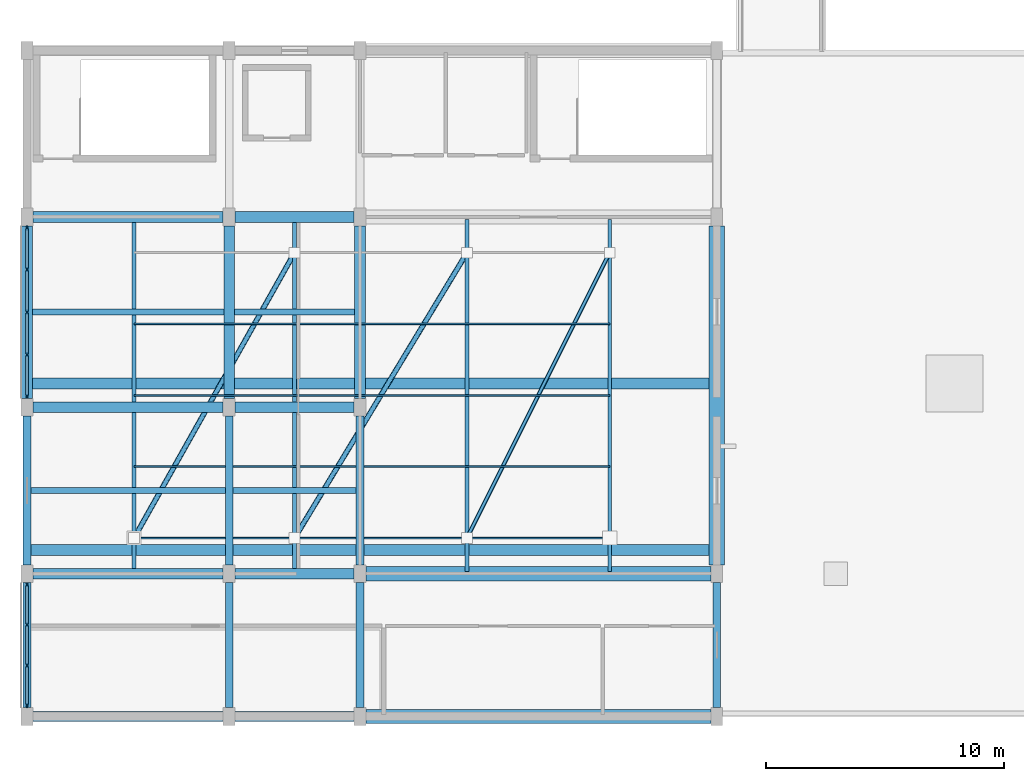
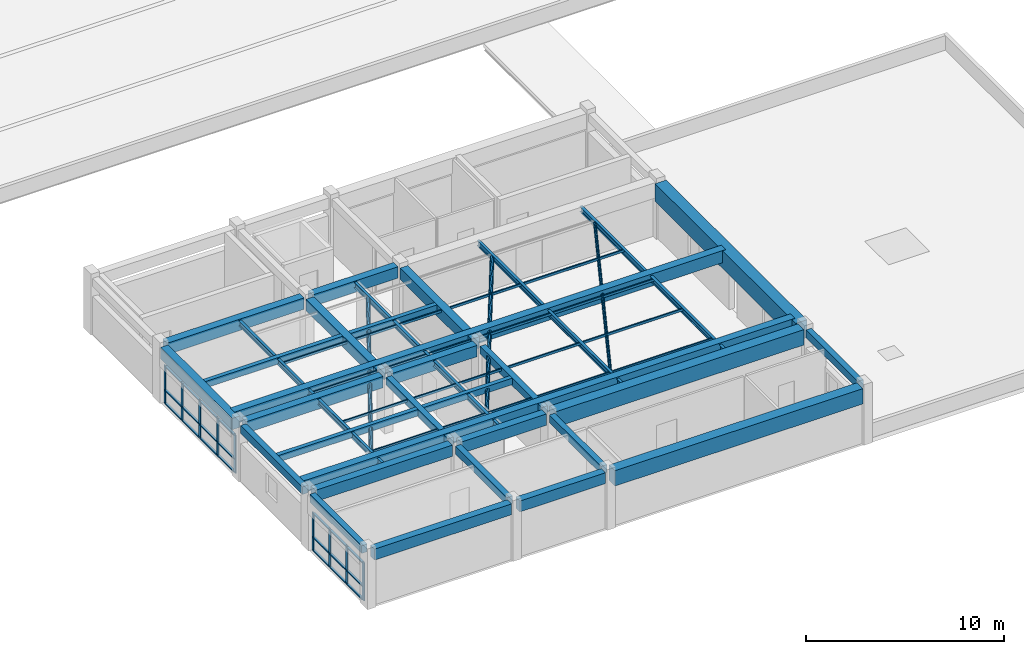
# One storey, part 2 of 42: 41 members, 27 beams, 2 elements without a shape of their own.
"""IFC4 building model written with IfcOpenShell, lengths in metres."""

from ifc_helpers import new_model, si_unit, direction, frame, origin, origin_2d, place, context, subcontext, project, spatial, rectangle, hollow_rectangle, hollow_circle, i_section, extrude, material, layer, layer_set, material_profile, profile_set, type_object, element, aggregate, save


model = new_model("IFC4")

# Units and contexts
model_context = context("Model", 3, precision=1e-05, world=origin(), true_north=direction((0.0, 1.0)))
body_context = subcontext(model_context, "Body", "Model", "MODEL_VIEW")
ifc_project = project(units=[si_unit("LENGTHUNIT", "METRE"), si_unit("AREAUNIT", "SQUARE_METRE"), si_unit("VOLUMEUNIT", "CUBIC_METRE"), si_unit("PLANEANGLEUNIT", "RADIAN"), si_unit("MASSUNIT", "GRAM", prefix="KILO")], contexts=[model_context])

# Site, building, storey
site_placement = place(None, origin())
site = spatial("IfcSite", under=ifc_project, at=site_placement, CompositionType="ELEMENT")
building_placement = place(site_placement, origin())
building = spatial("IfcBuilding", under=site, at=building_placement, Name="Naurynzar Civic Courthouse", CompositionType="ELEMENT")
storey_placement = place(building_placement, frame((0.0, 0.0, 18.300048828125)))
storey = spatial("IfcBuildingStorey", under=building, at=storey_placement, Name="L05", CompositionType="ELEMENT", Elevation=18.300048828125)

# Beams
ifc_material_1 = material(Name="Concrete C40/50", Category="concrete")
ifc_material_profile_1 = material_profile(ifc_material_1, rectangle(XDim=0.449951171875, YDim=0.75, at=origin_2d()), Name="RCF 450x750")
ifc_profile_set_1 = profile_set([ifc_material_profile_1], Name="Concrete C40/50")
beam_type_1 = type_object("IfcBeamType", Name="BM-FLD-450x750", PredefinedType="BEAM", material=ifc_profile_set_1)
for number, where, z_axis, x_axis, name in (
    (1, (6.14990234375, 11.0, 3.114990234375), (1.0, 0.0, 0.0), (0.0, 1.0, 0.0), "V4 folded-plate valley girder 1"),
    (2, (6.14990234375, 18.0, 3.114990234375), (1.0, 0.0, 0.0), (0.0, 1.0, 0.0), "V4 folded-plate valley girder 2"),
):
    element("IfcBeam", number, at=place(storey_placement, frame(where, z_axis=z_axis, x_axis=x_axis)), inside=storey, type_object=beam_type_1, Name=name, PredefinedType="BEAM", context=body_context, shape_type="SweptSolid", body=[
        extrude(rectangle(XDim=0.449951171875, YDim=0.75, at=origin_2d()), origin(), (0.0, 0.0, 1.0), 28.7001953125),
    ])
ifc_material_2 = material(Name="Concrete C40/50", Category="concrete")
ifc_material_profile_2 = material_profile(ifc_material_2, rectangle(XDim=0.25, YDim=0.39990234375, at=origin_2d()), Name="RCB 250x400")
ifc_profile_set_2 = profile_set([ifc_material_profile_2], Name="Concrete C40/50")
beam_type_2 = type_object("IfcBeamType", Name="BM-JST-250x400", PredefinedType="JOIST", material=ifc_profile_set_2)
beam_1_placement = place(storey_placement, frame((6.16259765625, 13.5, 3.27001953125), z_axis=(1.0, 0.0, 0.0), x_axis=(0.0, 1.0, 0.0)))
element("IfcBeam", 3, at=beam_1_placement, inside=storey, type_object=beam_type_2, Name="V4 secondary rib 1995 L05", PredefinedType="JOIST", context=body_context, shape_type="SweptSolid", body=[
    extrude(rectangle(XDim=0.25, YDim=0.39990234375, at=origin_2d()), origin(), (0.0, 0.0, 1.0), 8.1748046875),
])
beam_2_placement = place(storey_placement, frame((14.66259765625, 13.5, 3.27001953125), z_axis=(1.0, 0.0, 0.0), x_axis=(0.0, 1.0, 0.0)))
element("IfcBeam", 4, at=beam_2_placement, inside=storey, type_object=beam_type_2, Name="V4 secondary rib 1996 L05", PredefinedType="JOIST", context=body_context, shape_type="SweptSolid", body=[
    extrude(rectangle(XDim=0.25, YDim=0.39990234375, at=origin_2d()), origin(), (0.0, 0.0, 1.0), 5.1748046875),
])
beam_3_placement = place(storey_placement, frame((6.22509765625, 21.0, 3.27001953125), z_axis=(1.0, 0.0, 0.0), x_axis=(0.0, 1.0, 0.0)))
element("IfcBeam", 5, at=beam_3_placement, inside=storey, type_object=beam_type_2, Name="V4 secondary rib 1997 L05", PredefinedType="JOIST", context=body_context, shape_type="SweptSolid", body=[
    extrude(rectangle(XDim=0.25, YDim=0.39990234375, at=origin_2d()), origin(), (0.0, 0.0, 1.0), 8.0498046875),
])
beam_4_placement = place(storey_placement, frame((14.72509765625, 21.0, 3.27001953125), z_axis=(1.0, 0.0, 0.0), x_axis=(0.0, 1.0, 0.0)))
element("IfcBeam", 6, at=beam_4_placement, inside=storey, type_object=beam_type_2, Name="V4 secondary rib 1998 L05", PredefinedType="JOIST", context=body_context, shape_type="SweptSolid", body=[
    extrude(rectangle(XDim=0.25, YDim=0.39990234375, at=origin_2d()), origin(), (0.0, 0.0, 1.0), 5.0498046875),
])
ifc_material_3 = material(Name="Concrete C40/50", Category="concrete")
ifc_material_profile_3 = material_profile(ifc_material_3, rectangle(XDim=0.60009765625, YDim=0.949951171875, at=origin_2d()), Name="PTB 600x950")
ifc_profile_set_3 = profile_set([ifc_material_profile_3], Name="Concrete C40/50")
beam_type_3 = type_object("IfcBeamType", Name="BM-PT-600x950", PredefinedType="T_BEAM", material=ifc_profile_set_3)
for number, where, z_axis, x_axis, name in (
    (7, (20.25, 4.0, 2.994873046875), (1.0, 0.0, 0.0), (0.0, 1.0, 0.0), "V4 beam X-1968 L05"),
    (8, (20.25, 10.0, 2.994873046875), (1.0, 0.0, 0.0), (0.0, 1.0, 0.0), "V4 beam X-1971 L05"),
):
    element("IfcBeam", number, at=place(storey_placement, frame(where, z_axis=z_axis, x_axis=x_axis)), inside=storey, type_object=beam_type_3, Name=name, PredefinedType="T_BEAM", context=body_context, shape_type="SweptSolid", body=[
        extrude(rectangle(XDim=0.60009765625, YDim=0.949951171875, at=origin_2d()), origin(), (0.0, 0.0, 1.0), 14.5),
    ])
ifc_material_4 = material(Name="Concrete C40/50", Category="concrete")
ifc_material_profile_4 = material_profile(ifc_material_4, rectangle(XDim=0.64990234375, YDim=1.10009765625, at=origin_2d()), Name="PTB 650x1100")
ifc_profile_set_4 = profile_set([ifc_material_profile_4], Name="Concrete C40/50")
beam_type_4 = type_object("IfcBeamType", Name="BM-PT-650x1100", PredefinedType="T_BEAM", material=ifc_profile_set_4)
beam_5_placement = place(storey_placement, frame((35.0, 10.375, 2.919921875), z_axis=(0.0, 1.0, 0.0), x_axis=(-1.0, 0.0, 0.0)))
element("IfcBeam", 9, at=beam_5_placement, inside=storey, type_object=beam_type_4, Name="V4 girder Y-1993 L05", PredefinedType="T_BEAM", context=body_context, shape_type="SweptSolid", body=[
    extrude(rectangle(XDim=0.64990234375, YDim=1.10009765625, at=origin_2d()), origin(), (0.0, 0.0, 1.0), 14.25),
])
ifc_material_5 = material(Name="Concrete C40/50", Category="concrete")
ifc_material_profile_5 = material_profile(ifc_material_5, rectangle(XDim=0.324951171875, YDim=0.47509765625, at=origin_2d()), Name="RCB 325x475")
ifc_profile_set_5 = profile_set([ifc_material_profile_5], Name="Concrete C40/50")
beam_type_5 = type_object("IfcBeamType", Name="BM-RC-325x475", PredefinedType="BEAM", material=ifc_profile_set_5)
beam_6_placement = place(storey_placement, frame((6.0, 4.375, 3.232421875), z_axis=(0.0, 1.0, 0.0), x_axis=(-1.0, 0.0, 0.0)))
element("IfcBeam", 10, at=beam_6_placement, inside=storey, type_object=beam_type_5, Name="V4 girder Y-1980 L05", PredefinedType="BEAM", context=body_context, shape_type="SweptSolid", body=[
    extrude(rectangle(XDim=0.324951171875, YDim=0.47509765625, at=origin_2d()), origin(), (0.0, 0.0, 1.0), 5.25),
])
beam_7_placement = place(storey_placement, frame((6.0, 10.375, 3.232421875), z_axis=(0.0, 1.0, 0.0), x_axis=(-1.0, 0.0, 0.0)))
element("IfcBeam", 11, at=beam_7_placement, inside=storey, type_object=beam_type_5, Name="V4 girder Y-1981 L05", PredefinedType="BEAM", context=body_context, shape_type="SweptSolid", body=[
    extrude(rectangle(XDim=0.324951171875, YDim=0.47509765625, at=origin_2d()), origin(), (0.0, 0.0, 1.0), 6.25),
])
beam_8_placement = place(storey_placement, frame((14.5, 4.375, 3.232421875), z_axis=(0.0, 1.0, 0.0), x_axis=(-1.0, 0.0, 0.0)))
element("IfcBeam", 12, at=beam_8_placement, inside=storey, type_object=beam_type_5, Name="V4 girder Y-1984 L05", PredefinedType="BEAM", context=body_context, shape_type="SweptSolid", body=[
    extrude(rectangle(XDim=0.324951171875, YDim=0.47509765625, at=origin_2d()), origin(), (0.0, 0.0, 1.0), 5.25),
])
beam_9_placement = place(storey_placement, frame((14.5, 10.375, 3.232421875), z_axis=(0.0, 1.0, 0.0), x_axis=(-1.0, 0.0, 0.0)))
element("IfcBeam", 13, at=beam_9_placement, inside=storey, type_object=beam_type_5, Name="V4 girder Y-1985 L05", PredefinedType="BEAM", context=body_context, shape_type="SweptSolid", body=[
    extrude(rectangle(XDim=0.324951171875, YDim=0.47509765625, at=origin_2d()), origin(), (0.0, 0.0, 1.0), 6.25),
])
beam_10_placement = place(storey_placement, frame((20.0, 4.375, 3.232421875), z_axis=(0.0, 1.0, 0.0), x_axis=(-1.0, 0.0, 0.0)))
element("IfcBeam", 14, at=beam_10_placement, inside=storey, type_object=beam_type_5, Name="V4 girder Y-1988 L05", PredefinedType="BEAM", context=body_context, shape_type="SweptSolid", body=[
    extrude(rectangle(XDim=0.324951171875, YDim=0.47509765625, at=origin_2d()), origin(), (0.0, 0.0, 1.0), 5.25),
])
beam_11_placement = place(storey_placement, frame((20.0, 10.375, 3.232421875), z_axis=(0.0, 1.0, 0.0), x_axis=(-1.0, 0.0, 0.0)))
element("IfcBeam", 15, at=beam_11_placement, inside=storey, type_object=beam_type_5, Name="V4 girder Y-1989 L05", PredefinedType="BEAM", context=body_context, shape_type="SweptSolid", body=[
    extrude(rectangle(XDim=0.324951171875, YDim=0.47509765625, at=origin_2d()), origin(), (0.0, 0.0, 1.0), 6.25),
])
beam_12_placement = place(storey_placement, frame((35.0, 4.375, 3.232421875), z_axis=(0.0, 1.0, 0.0), x_axis=(-1.0, 0.0, 0.0)))
element("IfcBeam", 16, at=beam_12_placement, inside=storey, type_object=beam_type_5, Name="V4 girder Y-1992 L05", PredefinedType="BEAM", context=body_context, shape_type="SweptSolid", body=[
    extrude(rectangle(XDim=0.324951171875, YDim=0.47509765625, at=origin_2d()), origin(), (0.0, 0.0, 1.0), 5.25),
])
ifc_material_6 = material(Name="Concrete C40/50", Category="concrete")
ifc_material_profile_6 = material_profile(ifc_material_6, rectangle(XDim=0.425048828125, YDim=0.675048828125, at=origin_2d()), Name="RCB 425x675")
ifc_profile_set_6 = profile_set([ifc_material_profile_6], Name="Concrete C40/50")
beam_type_6 = type_object("IfcBeamType", Name="BM-RC-425x675", PredefinedType="SPANDREL", material=ifc_profile_set_6)
beam_13_placement = place(storey_placement, frame((6.25, 4.0, 3.132568359375), z_axis=(1.0, 0.0, 0.0), x_axis=(0.0, 1.0, 0.0)))
element("IfcBeam", 17, at=beam_13_placement, inside=storey, type_object=beam_type_6, Name="V4 beam X-1966 L05", PredefinedType="SPANDREL", context=body_context, shape_type="SweptSolid", body=[
    extrude(rectangle(XDim=0.425048828125, YDim=0.675048828125, at=origin_2d()), origin(), (0.0, 0.0, 1.0), 8.0),
])
beam_14_placement = place(storey_placement, frame((14.75, 4.0, 3.132568359375), z_axis=(1.0, 0.0, 0.0), x_axis=(0.0, 1.0, 0.0)))
element("IfcBeam", 18, at=beam_14_placement, inside=storey, type_object=beam_type_6, Name="V4 beam X-1967 L05", PredefinedType="SPANDREL", context=body_context, shape_type="SweptSolid", body=[
    extrude(rectangle(XDim=0.425048828125, YDim=0.675048828125, at=origin_2d()), origin(), (0.0, 0.0, 1.0), 5.0),
])
ifc_material_7 = material(Name="Concrete C40/50", Category="concrete")
ifc_material_profile_7 = material_profile(ifc_material_7, rectangle(XDim=0.449951171875, YDim=0.699951171875, at=origin_2d()), Name="RCB 450x700")
ifc_profile_set_7 = profile_set([ifc_material_profile_7], Name="Concrete C40/50")
beam_type_7 = type_object("IfcBeamType", Name="BM-RC-450x700", PredefinedType="BEAM", material=ifc_profile_set_7)
beam_15_placement = place(storey_placement, frame((6.25, 10.0, 3.119873046875), z_axis=(1.0, 0.0, 0.0), x_axis=(0.0, 1.0, 0.0)))
element("IfcBeam", 19, at=beam_15_placement, inside=storey, type_object=beam_type_7, Name="V4 beam X-1969 L05", PredefinedType="BEAM", context=body_context, shape_type="SweptSolid", body=[
    extrude(rectangle(XDim=0.449951171875, YDim=0.699951171875, at=origin_2d()), origin(), (0.0, 0.0, 1.0), 8.0),
])
beam_16_placement = place(storey_placement, frame((14.75, 10.0, 3.119873046875), z_axis=(1.0, 0.0, 0.0), x_axis=(0.0, 1.0, 0.0)))
element("IfcBeam", 20, at=beam_16_placement, inside=storey, type_object=beam_type_7, Name="V4 beam X-1970 L05", PredefinedType="BEAM", context=body_context, shape_type="SweptSolid", body=[
    extrude(rectangle(XDim=0.449951171875, YDim=0.699951171875, at=origin_2d()), origin(), (0.0, 0.0, 1.0), 5.0),
])
beam_17_placement = place(storey_placement, frame((6.25, 17.0, 3.119873046875), z_axis=(1.0, 0.0, 0.0), x_axis=(0.0, 1.0, 0.0)))
element("IfcBeam", 21, at=beam_17_placement, inside=storey, type_object=beam_type_7, Name="V4 beam X-1972 L05", PredefinedType="BEAM", context=body_context, shape_type="SweptSolid", body=[
    extrude(rectangle(XDim=0.449951171875, YDim=0.699951171875, at=origin_2d()), origin(), (0.0, 0.0, 1.0), 8.0),
])
beam_18_placement = place(storey_placement, frame((14.75, 17.0, 3.119873046875), z_axis=(1.0, 0.0, 0.0), x_axis=(0.0, 1.0, 0.0)))
element("IfcBeam", 22, at=beam_18_placement, inside=storey, type_object=beam_type_7, Name="V4 beam X-1973 L05", PredefinedType="BEAM", context=body_context, shape_type="SweptSolid", body=[
    extrude(rectangle(XDim=0.449951171875, YDim=0.699951171875, at=origin_2d()), origin(), (0.0, 0.0, 1.0), 5.0),
])
beam_19_placement = place(storey_placement, frame((6.25, 25.0, 3.119873046875), z_axis=(1.0, 0.0, 0.0), x_axis=(0.0, 1.0, 0.0)))
element("IfcBeam", 23, at=beam_19_placement, inside=storey, type_object=beam_type_7, Name="V4 beam X-1974 L05", PredefinedType="BEAM", context=body_context, shape_type="SweptSolid", body=[
    extrude(rectangle(XDim=0.449951171875, YDim=0.699951171875, at=origin_2d()), origin(), (0.0, 0.0, 1.0), 8.0),
])
beam_20_placement = place(storey_placement, frame((14.75, 25.0, 3.119873046875), z_axis=(1.0, 0.0, 0.0), x_axis=(0.0, 1.0, 0.0)))
element("IfcBeam", 24, at=beam_20_placement, inside=storey, type_object=beam_type_7, Name="V4 beam X-1975 L05", PredefinedType="BEAM", context=body_context, shape_type="SweptSolid", body=[
    extrude(rectangle(XDim=0.449951171875, YDim=0.699951171875, at=origin_2d()), origin(), (0.0, 0.0, 1.0), 5.0),
])
for number, where, z_axis, x_axis, name in (
    (25, (6.0, 17.375, 3.119873046875), (0.0, 1.0, 0.0), (-1.0, 0.0, 0.0), "V4 girder Y-1982 L05"),
    (26, (14.5, 17.375, 3.119873046875), (0.0, 1.0, 0.0), (-1.0, 0.0, 0.0), "V4 girder Y-1986 L05"),
    (27, (20.0, 17.375, 3.119873046875), (0.0, 1.0, 0.0), (-1.0, 0.0, 0.0), "V4 girder Y-1990 L05"),
):
    element("IfcBeam", number, at=place(storey_placement, frame(where, z_axis=z_axis, x_axis=x_axis)), inside=storey, type_object=beam_type_7, Name=name, PredefinedType="BEAM", context=body_context, shape_type="SweptSolid", body=[
        extrude(rectangle(XDim=0.449951171875, YDim=0.699951171875, at=origin_2d()), origin(), (0.0, 0.0, 1.0), 7.25),
    ])

# Curtain wall, members
ifc_material_8 = material(Name="Aluminium 6063-T6", Category="aluminium")
ifc_layer = layer(ifc_material_8, 0.159912109375)
ifc_layer_set = layer_set([ifc_layer], Name="CW-UNIT-1800")
curtain_wall_type = type_object("IfcCurtainWallType", Name="CW-UNIT-1800", PredefinedType="NOTDEFINED", material=ifc_layer_set)
curtain_wall_1_placement = place(storey_placement, origin())
curtain_wall_1 = element("IfcCurtainWall", 28, at=curtain_wall_1_placement, inside=storey, type_object=curtain_wall_type, Name="V4 unitised curtain wall 83 L05", PredefinedType="NOTDEFINED")
ifc_material_9 = material(Name="Aluminium 6063-T6", Category="aluminium")
ifc_material_profile_8 = material_profile(ifc_material_9, rectangle(XDim=0.070068359375, YDim=0.179931640625, at=origin_2d()), Name="ALU MULLION 70x180")
ifc_profile_set_8 = profile_set([ifc_material_profile_8], Name="Aluminium 6063-T6")
member_type_1 = type_object("IfcMemberType", Name="CWM-70x180", PredefinedType="MULLION", material=ifc_profile_set_8)
member_1_placement = place(storey_placement, frame((6.0, 4.4599609375, 0.0), z_axis=(0.0, 0.0, 1.0), x_axis=(-1.0, 0.0, 0.0)))
member_1 = element("IfcMember", 29, at=member_1_placement, type_object=member_type_1, Name="CW-02 mullion 1", PredefinedType="MULLION", context=body_context, shape_type="SweptSolid", body=[
    extrude(rectangle(XDim=0.070068359375, YDim=0.179931640625, at=origin_2d()), origin(), (0.0, 0.0, 1.0), 2.349853515625),
])
member_2_placement = place(storey_placement, frame((6.0, 6.1416015625, 0.0), z_axis=(0.0, 0.0, 1.0), x_axis=(-1.0, 0.0, 0.0)))
member_2 = element("IfcMember", 30, at=member_2_placement, type_object=member_type_1, Name="CW-02 mullion 2", PredefinedType="MULLION", context=body_context, shape_type="SweptSolid", body=[
    extrude(rectangle(XDim=0.070068359375, YDim=0.179931640625, at=origin_2d()), origin(), (0.0, 0.0, 1.0), 2.349853515625),
])
member_3_placement = place(storey_placement, frame((6.0, 7.8583984375, 0.0), z_axis=(0.0, 0.0, 1.0), x_axis=(-1.0, 0.0, 0.0)))
member_3 = element("IfcMember", 31, at=member_3_placement, type_object=member_type_1, Name="CW-02 mullion 3", PredefinedType="MULLION", context=body_context, shape_type="SweptSolid", body=[
    extrude(rectangle(XDim=0.070068359375, YDim=0.179931640625, at=origin_2d()), origin(), (0.0, 0.0, 1.0), 2.349853515625),
])
member_4_placement = place(storey_placement, frame((6.0, 9.5400390625, 0.0), z_axis=(0.0, 0.0, 1.0), x_axis=(-1.0, 0.0, 0.0)))
member_4 = element("IfcMember", 32, at=member_4_placement, type_object=member_type_1, Name="CW-02 mullion 4", PredefinedType="MULLION", context=body_context, shape_type="SweptSolid", body=[
    extrude(rectangle(XDim=0.070068359375, YDim=0.179931640625, at=origin_2d()), origin(), (0.0, 0.0, 1.0), 2.349853515625),
])

curtain_wall_2_placement = place(storey_placement, origin())
curtain_wall_2 = element("IfcCurtainWall", 33, at=curtain_wall_2_placement, inside=storey, type_object=curtain_wall_type, Name="V4 unitised curtain wall 84 L05", PredefinedType="NOTDEFINED")
member_5_placement = place(storey_placement, frame((6.0, 17.4599609375, 0.0), z_axis=(0.0, 0.0, 1.0), x_axis=(-1.0, 0.0, 0.0)))
member_5 = element("IfcMember", 34, at=member_5_placement, type_object=member_type_1, Name="CW-02 mullion 1", PredefinedType="MULLION", context=body_context, shape_type="SweptSolid", body=[
    extrude(rectangle(XDim=0.070068359375, YDim=0.179931640625, at=origin_2d()), origin(), (0.0, 0.0, 1.0), 2.349853515625),
])
member_6_placement = place(storey_placement, frame((6.0, 19.21240234375, 0.0), z_axis=(0.0, 0.0, 1.0), x_axis=(-1.0, 0.0, 0.0)))
member_6 = element("IfcMember", 35, at=member_6_placement, type_object=member_type_1, Name="CW-02 mullion 2", PredefinedType="MULLION", context=body_context, shape_type="SweptSolid", body=[
    extrude(rectangle(XDim=0.070068359375, YDim=0.179931640625, at=origin_2d()), origin(), (0.0, 0.0, 1.0), 2.349853515625),
])
member_7_placement = place(storey_placement, frame((6.0, 21.0, 0.0), z_axis=(0.0, 0.0, 1.0), x_axis=(-1.0, 0.0, 0.0)))
member_7 = element("IfcMember", 36, at=member_7_placement, type_object=member_type_1, Name="CW-02 mullion 3", PredefinedType="MULLION", context=body_context, shape_type="SweptSolid", body=[
    extrude(rectangle(XDim=0.070068359375, YDim=0.179931640625, at=origin_2d()), origin(), (0.0, 0.0, 1.0), 2.349853515625),
])
member_8_placement = place(storey_placement, frame((6.0, 22.78759765625, 0.0), z_axis=(0.0, 0.0, 1.0), x_axis=(-1.0, 0.0, 0.0)))
member_8 = element("IfcMember", 37, at=member_8_placement, type_object=member_type_1, Name="CW-02 mullion 4", PredefinedType="MULLION", context=body_context, shape_type="SweptSolid", body=[
    extrude(rectangle(XDim=0.070068359375, YDim=0.179931640625, at=origin_2d()), origin(), (0.0, 0.0, 1.0), 2.349853515625),
])
member_9_placement = place(storey_placement, frame((6.0, 24.5400390625, 0.0), z_axis=(0.0, 0.0, 1.0), x_axis=(-1.0, 0.0, 0.0)))
member_9 = element("IfcMember", 38, at=member_9_placement, type_object=member_type_1, Name="CW-02 mullion 5", PredefinedType="MULLION", context=body_context, shape_type="SweptSolid", body=[
    extrude(rectangle(XDim=0.070068359375, YDim=0.179931640625, at=origin_2d()), origin(), (0.0, 0.0, 1.0), 2.349853515625),
])

# Member
ifc_material_10 = material(Name="Aluminium 6063-T6", Category="aluminium")
ifc_material_profile_9 = material_profile(ifc_material_10, rectangle(XDim=0.1298828125, YDim=0.070068359375, at=origin_2d()), Name="ALU TRANSOM 70x130")
ifc_profile_set_9 = profile_set([ifc_material_profile_9], Name="Aluminium 6063-T6")
member_type_2 = type_object("IfcMemberType", Name="CWT-70x130", PredefinedType="USERDEFINED", material=ifc_profile_set_9)
member_10_placement = place(storey_placement, frame((6.0, 4.4951171875, 0.034912109375), z_axis=(0.0, 1.0, 0.0), x_axis=(-1.0, 0.0, 0.0)))
member_10 = element("IfcMember", 39, at=member_10_placement, type_object=member_type_2, Name="CW-02 transom 1.1", ObjectType="TRANSOM", PredefinedType="USERDEFINED", context=body_context, shape_type="SweptSolid", body=[
    extrude(rectangle(XDim=0.1298828125, YDim=0.070068359375, at=origin_2d()), origin(), (0.0, 0.0, 1.0), 1.611572265625),
])

member_11_placement = place(storey_placement, frame((6.0, 4.4951171875, 0.849853515625), z_axis=(0.0, 1.0, 0.0), x_axis=(-1.0, 0.0, 0.0)))
member_11 = element("IfcMember", 40, at=member_11_placement, type_object=member_type_2, Name="CW-02 transom 1.2", ObjectType="TRANSOM", PredefinedType="USERDEFINED", context=body_context, shape_type="SweptSolid", body=[
    extrude(rectangle(XDim=0.1298828125, YDim=0.070068359375, at=origin_2d()), origin(), (0.0, 0.0, 1.0), 1.611572265625),
])

member_12_placement = place(storey_placement, frame((6.0, 4.4951171875, 2.31494140625), z_axis=(0.0, 1.0, 0.0), x_axis=(-1.0, 0.0, 0.0)))
member_12 = element("IfcMember", 41, at=member_12_placement, type_object=member_type_2, Name="CW-02 transom 1.3", ObjectType="TRANSOM", PredefinedType="USERDEFINED", context=body_context, shape_type="SweptSolid", body=[
    extrude(rectangle(XDim=0.1298828125, YDim=0.070068359375, at=origin_2d()), origin(), (0.0, 0.0, 1.0), 1.611572265625),
])

member_13_placement = place(storey_placement, frame((6.0, 6.1767578125, 0.034912109375), z_axis=(0.0, 1.0, 0.0), x_axis=(-1.0, 0.0, 0.0)))
member_13 = element("IfcMember", 42, at=member_13_placement, type_object=member_type_2, Name="CW-02 transom 2.1", ObjectType="TRANSOM", PredefinedType="USERDEFINED", context=body_context, shape_type="SweptSolid", body=[
    extrude(rectangle(XDim=0.1298828125, YDim=0.070068359375, at=origin_2d()), origin(), (0.0, 0.0, 1.0), 1.646484375),
])

member_14_placement = place(storey_placement, frame((6.0, 6.1767578125, 0.849853515625), z_axis=(0.0, 1.0, 0.0), x_axis=(-1.0, 0.0, 0.0)))
member_14 = element("IfcMember", 43, at=member_14_placement, type_object=member_type_2, Name="CW-02 transom 2.2", ObjectType="TRANSOM", PredefinedType="USERDEFINED", context=body_context, shape_type="SweptSolid", body=[
    extrude(rectangle(XDim=0.1298828125, YDim=0.070068359375, at=origin_2d()), origin(), (0.0, 0.0, 1.0), 1.646484375),
])

member_15_placement = place(storey_placement, frame((6.0, 6.1767578125, 2.31494140625), z_axis=(0.0, 1.0, 0.0), x_axis=(-1.0, 0.0, 0.0)))
member_15 = element("IfcMember", 44, at=member_15_placement, type_object=member_type_2, Name="CW-02 transom 2.3", ObjectType="TRANSOM", PredefinedType="USERDEFINED", context=body_context, shape_type="SweptSolid", body=[
    extrude(rectangle(XDim=0.1298828125, YDim=0.070068359375, at=origin_2d()), origin(), (0.0, 0.0, 1.0), 1.646484375),
])

member_16_placement = place(storey_placement, frame((6.0, 7.893310546875, 0.034912109375), z_axis=(0.0, 1.0, 0.0), x_axis=(-1.0, 0.0, 0.0)))
member_16 = element("IfcMember", 45, at=member_16_placement, type_object=member_type_2, Name="CW-02 transom 3.1", ObjectType="TRANSOM", PredefinedType="USERDEFINED", context=body_context, shape_type="SweptSolid", body=[
    extrude(rectangle(XDim=0.1298828125, YDim=0.070068359375, at=origin_2d()), origin(), (0.0, 0.0, 1.0), 1.611572265625),
])

member_17_placement = place(storey_placement, frame((6.0, 7.893310546875, 0.849853515625), z_axis=(0.0, 1.0, 0.0), x_axis=(-1.0, 0.0, 0.0)))
member_17 = element("IfcMember", 46, at=member_17_placement, type_object=member_type_2, Name="CW-02 transom 3.2", ObjectType="TRANSOM", PredefinedType="USERDEFINED", context=body_context, shape_type="SweptSolid", body=[
    extrude(rectangle(XDim=0.1298828125, YDim=0.070068359375, at=origin_2d()), origin(), (0.0, 0.0, 1.0), 1.611572265625),
])

member_18_placement = place(storey_placement, frame((6.0, 7.893310546875, 2.31494140625), z_axis=(0.0, 1.0, 0.0), x_axis=(-1.0, 0.0, 0.0)))
member_18 = element("IfcMember", 47, at=member_18_placement, type_object=member_type_2, Name="CW-02 transom 3.3", ObjectType="TRANSOM", PredefinedType="USERDEFINED", context=body_context, shape_type="SweptSolid", body=[
    extrude(rectangle(XDim=0.1298828125, YDim=0.070068359375, at=origin_2d()), origin(), (0.0, 0.0, 1.0), 1.611572265625),
])

aggregate(curtain_wall_1, [member_1, member_2, member_3, member_4, member_10, member_11, member_12, member_13, member_14, member_15, member_16, member_17, member_18])

member_19_placement = place(storey_placement, frame((6.0, 17.4951171875, 0.034912109375), z_axis=(0.0, 1.0, 0.0), x_axis=(-1.0, 0.0, 0.0)))
member_19 = element("IfcMember", 48, at=member_19_placement, type_object=member_type_2, Name="CW-02 transom 1.1", ObjectType="TRANSOM", PredefinedType="USERDEFINED", context=body_context, shape_type="SweptSolid", body=[
    extrude(rectangle(XDim=0.1298828125, YDim=0.070068359375, at=origin_2d()), origin(), (0.0, 0.0, 1.0), 1.682373046875),
])

member_20_placement = place(storey_placement, frame((6.0, 17.4951171875, 0.849853515625), z_axis=(0.0, 1.0, 0.0), x_axis=(-1.0, 0.0, 0.0)))
member_20 = element("IfcMember", 49, at=member_20_placement, type_object=member_type_2, Name="CW-02 transom 1.2", ObjectType="TRANSOM", PredefinedType="USERDEFINED", context=body_context, shape_type="SweptSolid", body=[
    extrude(rectangle(XDim=0.1298828125, YDim=0.070068359375, at=origin_2d()), origin(), (0.0, 0.0, 1.0), 1.682373046875),
])

member_21_placement = place(storey_placement, frame((6.0, 17.4951171875, 2.31494140625), z_axis=(0.0, 1.0, 0.0), x_axis=(-1.0, 0.0, 0.0)))
member_21 = element("IfcMember", 50, at=member_21_placement, type_object=member_type_2, Name="CW-02 transom 1.3", ObjectType="TRANSOM", PredefinedType="USERDEFINED", context=body_context, shape_type="SweptSolid", body=[
    extrude(rectangle(XDim=0.1298828125, YDim=0.070068359375, at=origin_2d()), origin(), (0.0, 0.0, 1.0), 1.682373046875),
])

member_22_placement = place(storey_placement, frame((6.0, 19.24755859375, 0.034912109375), z_axis=(0.0, 1.0, 0.0), x_axis=(-1.0, 0.0, 0.0)))
member_22 = element("IfcMember", 51, at=member_22_placement, type_object=member_type_2, Name="CW-02 transom 2.1", ObjectType="TRANSOM", PredefinedType="USERDEFINED", context=body_context, shape_type="SweptSolid", body=[
    extrude(rectangle(XDim=0.1298828125, YDim=0.070068359375, at=origin_2d()), origin(), (0.0, 0.0, 1.0), 1.717529296875),
])

member_23_placement = place(storey_placement, frame((6.0, 19.24755859375, 0.849853515625), z_axis=(0.0, 1.0, 0.0), x_axis=(-1.0, 0.0, 0.0)))
member_23 = element("IfcMember", 52, at=member_23_placement, type_object=member_type_2, Name="CW-02 transom 2.2", ObjectType="TRANSOM", PredefinedType="USERDEFINED", context=body_context, shape_type="SweptSolid", body=[
    extrude(rectangle(XDim=0.1298828125, YDim=0.070068359375, at=origin_2d()), origin(), (0.0, 0.0, 1.0), 1.717529296875),
])

member_24_placement = place(storey_placement, frame((6.0, 19.24755859375, 2.31494140625), z_axis=(0.0, 1.0, 0.0), x_axis=(-1.0, 0.0, 0.0)))
member_24 = element("IfcMember", 53, at=member_24_placement, type_object=member_type_2, Name="CW-02 transom 2.3", ObjectType="TRANSOM", PredefinedType="USERDEFINED", context=body_context, shape_type="SweptSolid", body=[
    extrude(rectangle(XDim=0.1298828125, YDim=0.070068359375, at=origin_2d()), origin(), (0.0, 0.0, 1.0), 1.717529296875),
])

member_25_placement = place(storey_placement, frame((6.0, 21.034912109375, 0.034912109375), z_axis=(0.0, 1.0, 0.0), x_axis=(-1.0, 0.0, 0.0)))
member_25 = element("IfcMember", 54, at=member_25_placement, type_object=member_type_2, Name="CW-02 transom 3.1", ObjectType="TRANSOM", PredefinedType="USERDEFINED", context=body_context, shape_type="SweptSolid", body=[
    extrude(rectangle(XDim=0.1298828125, YDim=0.070068359375, at=origin_2d()), origin(), (0.0, 0.0, 1.0), 1.717529296875),
])

member_26_placement = place(storey_placement, frame((6.0, 21.034912109375, 0.849853515625), z_axis=(0.0, 1.0, 0.0), x_axis=(-1.0, 0.0, 0.0)))
member_26 = element("IfcMember", 55, at=member_26_placement, type_object=member_type_2, Name="CW-02 transom 3.2", ObjectType="TRANSOM", PredefinedType="USERDEFINED", context=body_context, shape_type="SweptSolid", body=[
    extrude(rectangle(XDim=0.1298828125, YDim=0.070068359375, at=origin_2d()), origin(), (0.0, 0.0, 1.0), 1.717529296875),
])

member_27_placement = place(storey_placement, frame((6.0, 21.034912109375, 2.31494140625), z_axis=(0.0, 1.0, 0.0), x_axis=(-1.0, 0.0, 0.0)))
member_27 = element("IfcMember", 56, at=member_27_placement, type_object=member_type_2, Name="CW-02 transom 3.3", ObjectType="TRANSOM", PredefinedType="USERDEFINED", context=body_context, shape_type="SweptSolid", body=[
    extrude(rectangle(XDim=0.1298828125, YDim=0.070068359375, at=origin_2d()), origin(), (0.0, 0.0, 1.0), 1.717529296875),
])

member_28_placement = place(storey_placement, frame((6.0, 22.822509765625, 0.034912109375), z_axis=(0.0, 1.0, 0.0), x_axis=(-1.0, 0.0, 0.0)))
member_28 = element("IfcMember", 57, at=member_28_placement, type_object=member_type_2, Name="CW-02 transom 4.1", ObjectType="TRANSOM", PredefinedType="USERDEFINED", context=body_context, shape_type="SweptSolid", body=[
    extrude(rectangle(XDim=0.1298828125, YDim=0.070068359375, at=origin_2d()), origin(), (0.0, 0.0, 1.0), 1.682373046875),
])

member_29_placement = place(storey_placement, frame((6.0, 22.822509765625, 0.849853515625), z_axis=(0.0, 1.0, 0.0), x_axis=(-1.0, 0.0, 0.0)))
member_29 = element("IfcMember", 58, at=member_29_placement, type_object=member_type_2, Name="CW-02 transom 4.2", ObjectType="TRANSOM", PredefinedType="USERDEFINED", context=body_context, shape_type="SweptSolid", body=[
    extrude(rectangle(XDim=0.1298828125, YDim=0.070068359375, at=origin_2d()), origin(), (0.0, 0.0, 1.0), 1.682373046875),
])

member_30_placement = place(storey_placement, frame((6.0, 22.822509765625, 2.31494140625), z_axis=(0.0, 1.0, 0.0), x_axis=(-1.0, 0.0, 0.0)))
member_30 = element("IfcMember", 59, at=member_30_placement, type_object=member_type_2, Name="CW-02 transom 4.3", ObjectType="TRANSOM", PredefinedType="USERDEFINED", context=body_context, shape_type="SweptSolid", body=[
    extrude(rectangle(XDim=0.1298828125, YDim=0.070068359375, at=origin_2d()), origin(), (0.0, 0.0, 1.0), 1.682373046875),
])

aggregate(curtain_wall_2, [member_5, member_6, member_7, member_8, member_9, member_19, member_20, member_21, member_22, member_23, member_24, member_25, member_26, member_27, member_28, member_29, member_30])

# Members
ifc_material_11 = material(Name="Steel S355", Category="steel")
ifc_material_profile_10 = material_profile(ifc_material_11, hollow_circle(Radius=0.084228515625, WallThickness=0.008056640625, at=origin_2d()), Name="CHS 168.3x8")
ifc_profile_set_10 = profile_set([ifc_material_profile_10], Name="Steel S355")
member_type_3 = type_object("IfcMemberType", Name="MEM-BRACE-CHS168", PredefinedType="BRACE", material=ifc_profile_set_10)
member_31_placement = place(storey_placement, frame((24.5, 11.5, 3.239990234375), z_axis=(0.4472135955, 0.894427191, 0.0), x_axis=(-0.894427191, 0.4472135955, 0.0)))
element("IfcMember", 60, at=member_31_placement, inside=storey, type_object=member_type_3, Name="Public Hall roof wind brace 3", PredefinedType="BRACE", context=body_context, shape_type="SweptSolid", body=[
    extrude(hollow_circle(Radius=0.084228515625, WallThickness=0.008056640625, at=origin_2d()), origin(), (0.0, 0.0, 1.0), 13.41650390625),
])
ifc_material_12 = material(Name="Steel S355", Category="steel")
ifc_material_profile_11 = material_profile(ifc_material_12, hollow_circle(Radius=0.109619140625, WallThickness=0.010009765625, at=origin_2d()), Name="CHS 219.1x10")
ifc_profile_set_11 = profile_set([ifc_material_profile_11], Name="Steel S355")
member_type_4 = type_object("IfcMemberType", Name="MEM-BRACE-CHS219", PredefinedType="BRACE", material=ifc_profile_set_11)
member_32_placement = place(storey_placement, frame((10.5, 11.5, 3.239990234375), z_axis=(0.490261239633, 0.871575537125, 0.0), x_axis=(-0.871575537125, 0.490261239633, 0.0)))
element("IfcMember", 61, at=member_32_placement, inside=storey, type_object=member_type_4, Name="Public Hall roof wind brace 1", PredefinedType="BRACE", context=body_context, shape_type="SweptSolid", body=[
    extrude(hollow_circle(Radius=0.109619140625, WallThickness=0.010009765625, at=origin_2d()), origin(), (0.0, 0.0, 1.0), 13.76806640625),
])
member_33_placement = place(storey_placement, frame((17.25, 11.5, 3.239990234375), z_axis=(0.517115639926, 0.855915541946, 0.0), x_axis=(-0.855915541946, 0.517115639926, 0.0)))
element("IfcMember", 62, at=member_33_placement, inside=storey, type_object=member_type_4, Name="Public Hall roof wind brace 2", PredefinedType="BRACE", context=body_context, shape_type="SweptSolid", body=[
    extrude(hollow_circle(Radius=0.109619140625, WallThickness=0.010009765625, at=origin_2d()), origin(), (0.0, 0.0, 1.0), 14.02001953125),
])
ifc_material_13 = material(Name="Steel S355", Category="steel")
ifc_material_profile_12 = material_profile(ifc_material_13, hollow_rectangle(XDim=0.080078125, YDim=0.159912109375, WallThickness=0.008056640625, InnerFilletRadius=0.008056640625, OuterFilletRadius=0.01611328125, at=origin_2d()), Name="RHS 160x80x8")
ifc_profile_set_12 = profile_set([ifc_material_profile_12], Name="Steel S355")
member_type_5 = type_object("IfcMemberType", Name="MEM-PURLIN-RHS160", PredefinedType="PURLIN", material=ifc_profile_set_12)
for number, where, z_axis, x_axis, name in (
    (63, (10.5, 11.5, 3.324951171875), (1.0, 0.0, 0.0), (0.0, 1.0, 0.0), "Public Hall skylight purlin 1"),
    (64, (10.5, 14.5, 3.324951171875), (1.0, 0.0, 0.0), (0.0, 1.0, 0.0), "Public Hall skylight purlin 2"),
    (65, (10.5, 17.5, 3.324951171875), (1.0, 0.0, 0.0), (0.0, 1.0, 0.0), "Public Hall skylight purlin 3"),
    (66, (10.5, 20.5, 3.324951171875), (1.0, 0.0, 0.0), (0.0, 1.0, 0.0), "Public Hall skylight purlin 4"),
):
    element("IfcMember", number, at=place(storey_placement, frame(where, z_axis=z_axis, x_axis=x_axis)), inside=storey, type_object=member_type_5, Name=name, PredefinedType="PURLIN", context=body_context, shape_type="SweptSolid", body=[
        extrude(hollow_rectangle(XDim=0.080078125, YDim=0.159912109375, WallThickness=0.008056640625, InnerFilletRadius=0.008056640625, OuterFilletRadius=0.01611328125, at=origin_2d()), origin(), (0.0, 0.0, 1.0), 20.0),
    ])
ifc_material_14 = material(Name="Steel S355", Category="steel")
ifc_material_profile_13 = material_profile(ifc_material_14, i_section(OverallWidth=0.159912109375, OverallDepth=0.330078125, WebThickness=0.007568359375, FlangeThickness=0.011474609375, FilletRadius=0.01806640625, at=origin_2d()), Name="IPE 330")
ifc_profile_set_13 = profile_set([ifc_material_profile_13], Name="Steel S355")
member_type_6 = type_object("IfcMemberType", Name="MEM-RAFTER-IPE330", PredefinedType="RAFTER", material=ifc_profile_set_13)
for number, where, z_axis, x_axis, name in (
    (67, (10.5, 10.10009765625, 3.239990234375), (0.0, 1.0, 0.0), (-1.0, 0.0, 0.0), "Public Hall atrium skylight rafter 1"),
    (68, (17.25, 10.10009765625, 3.239990234375), (0.0, 1.0, 0.0), (-1.0, 0.0, 0.0), "Public Hall atrium skylight rafter 2"),
    (69, (24.5, 10.10009765625, 3.239990234375), (0.0, 1.0, 0.0), (-1.0, 0.0, 0.0), "Public Hall atrium skylight rafter 3"),
    (70, (30.5, 10.10009765625, 3.239990234375), (0.0, 1.0, 0.0), (-1.0, 0.0, 0.0), "Public Hall atrium skylight rafter 4"),
):
    element("IfcMember", number, at=place(storey_placement, frame(where, z_axis=z_axis, x_axis=x_axis)), inside=storey, type_object=member_type_6, Name=name, PredefinedType="RAFTER", context=body_context, shape_type="SweptSolid", body=[
        extrude(i_section(OverallWidth=0.159912109375, OverallDepth=0.330078125, WebThickness=0.007568359375, FlangeThickness=0.011474609375, FilletRadius=0.01806640625, at=origin_2d()), origin(), (0.0, 0.0, 1.0), 14.7998046875),
    ])

save(model, "model.ifc")
